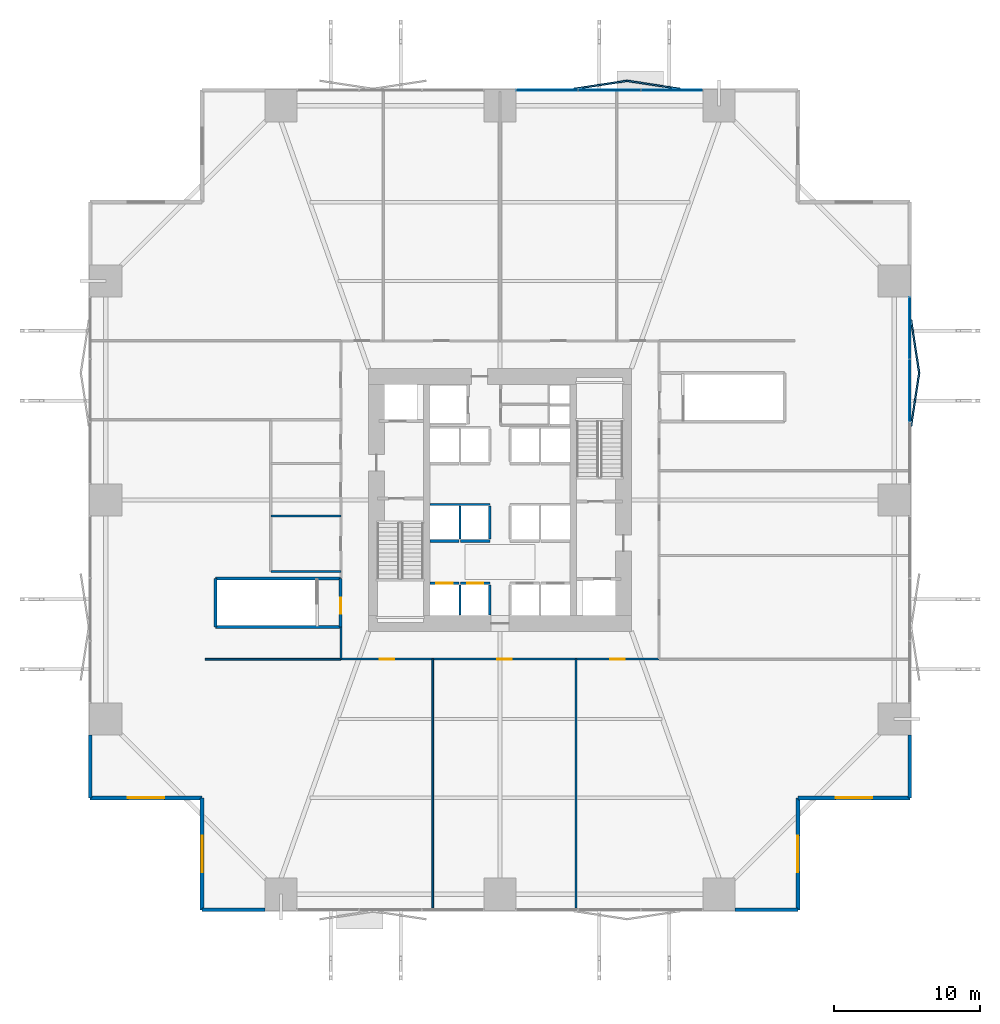
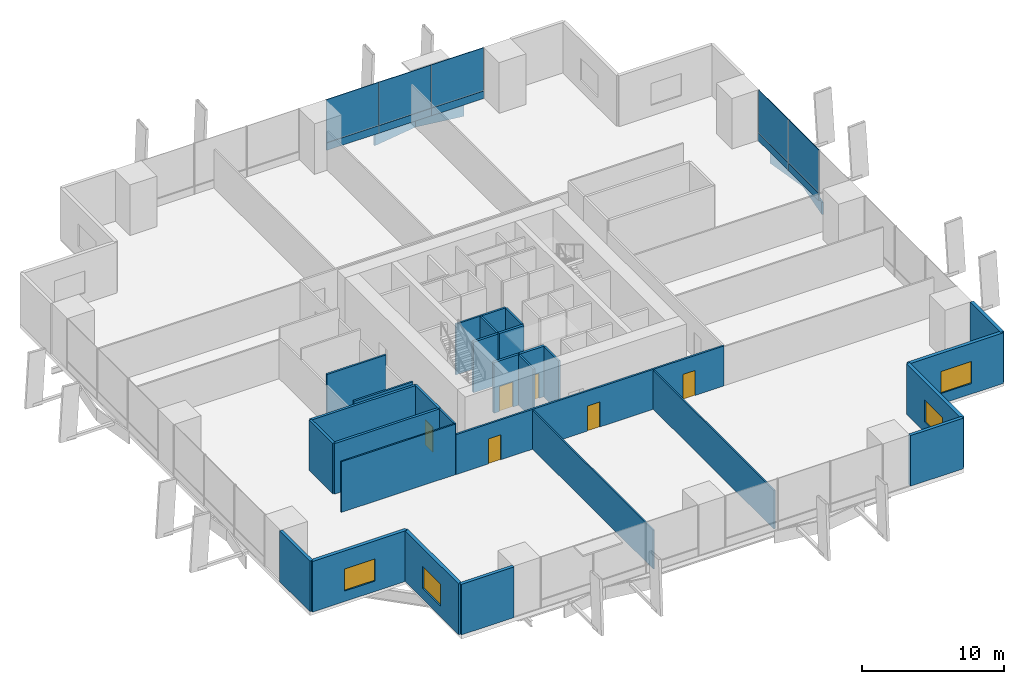
# One storey, part 19 of 24: 28 walls, 14 plates, 6 doors, 4 windows, 10 openings, 2 elements without a shape of their own.
"""IFC4 building model written with IfcOpenShell, lengths in metres."""

from ifc_helpers import new_model, si_unit, direction, frame, frame_2d, origin, origin_2d, place, context, subcontext, project, spatial, rectangle, extrude, material, layer, layer_set, type_object, element, fill, aggregate, save


model = new_model("IFC4")

# Units and contexts
model_context = context("Model", 3, precision=1e-05, world=origin(), true_north=direction((0.0, 1.0)))
body_context = subcontext(model_context, "Body", "Model", "MODEL_VIEW")
ifc_project = project(units=[si_unit("LENGTHUNIT", "METRE"), si_unit("AREAUNIT", "SQUARE_METRE"), si_unit("VOLUMEUNIT", "CUBIC_METRE"), si_unit("PLANEANGLEUNIT", "RADIAN"), si_unit("MASSUNIT", "GRAM", prefix="KILO")], contexts=[model_context])

# Site, building, storey
site_placement = place(None, origin())
site = spatial("IfcSite", under=ifc_project, at=site_placement, CompositionType="ELEMENT")
building_placement = place(site_placement, origin())
building = spatial("IfcBuilding", under=site, at=building_placement, Name="Belovzor Exchange Tower", CompositionType="ELEMENT")
storey_placement = place(building_placement, frame((0.0, 0.0, 19.199951171875)))
storey = spatial("IfcBuildingStorey", under=building, at=storey_placement, Name="L04", CompositionType="ELEMENT", Elevation=19.199951171875)

# Plates
ifc_material_1 = material(Name="Extruded Architectural Terracotta", Category="masonry")
ifc_layer_1 = layer(ifc_material_1, 0.1201171875)
ifc_layer_set_1 = layer_set([ifc_layer_1], Name="Extruded Architectural Terracotta")
plate_type_1 = type_object("IfcPlateType", Name="Folded Zigzag Terracotta Spandrel Louvre 80", PredefinedType="USERDEFINED", material=ifc_layer_set_1)
for number, where, z_axis, x_axis, name in (
    (1, (35.699951171875, 57.235107421875, -1.03515625), (0.0, 0.0, 1.0), (0.98853081729, 0.151019281113, 0.0), "LVR-ZZ1 Zigzag Terracotta Spandrel Louvre L04 N2A"),
    (2, (39.300048828125, 57.235107421875, -1.03515625), (0.0, 0.0, 1.0), (0.98853081729, -0.151019281113, 0.0), "LVR-ZZ1 Zigzag Terracotta Spandrel Louvre L04 N2B"),
    (3, (57.235107421875, 35.699951171875, -1.03515625), (0.0, 0.0, 1.0), (0.151019281113, 0.98853081729, 0.0), "LVR-ZZ1 Zigzag Terracotta Spandrel Louvre L04 E2A"),
    (4, (57.235107421875, 39.300048828125, -1.03515625), (0.0, 0.0, 1.0), (-0.151019281113, 0.98853081729, 0.0), "LVR-ZZ1 Zigzag Terracotta Spandrel Louvre L04 E2B"),
):
    element("IfcPlate", number, at=place(storey_placement, frame(where, z_axis=z_axis, x_axis=x_axis)), inside=storey, type_object=plate_type_1, Name=name, ObjectType="SPANDREL_LOUVRE", PredefinedType="USERDEFINED", context=body_context, shape_type="SweptSolid", body=[
        extrude(rectangle(XDim=3.721923828125, YDim=0.1201171875, at=origin_2d()), origin(), (0.0, 0.0, 1.0), 1.050048828125),
    ])

# Curtain wall, plates
ifc_material_2 = material(Name="Anodised Aluminium Framing", Category="aluminium")
ifc_layer_2 = layer(ifc_material_2, 0.2099609375)
ifc_layer_set_2 = layer_set([ifc_layer_2], Name="Anodised Aluminium Framing")
curtain_wall_type = type_object("IfcCurtainWallType", Name="Double-Height Concourse & Gallery Curtain Wall", PredefinedType="NOTDEFINED", material=ifc_layer_set_2)
curtain_wall_1_placement = place(storey_placement, origin())
curtain_wall_1 = element("IfcCurtainWall", 5, at=curtain_wall_1_placement, inside=storey, type_object=curtain_wall_type, Name="CW2 Double-Height Concourse & Gallery Curtain Wall L04", PredefinedType="NOTDEFINED")
ifc_material_3 = material(Name="Reconstituted Limestone Cassette", Category="masonry")
ifc_layer_3 = layer(ifc_material_3, 0.110107421875)
ifc_layer_set_3 = layer_set([ifc_layer_3], Name="Reconstituted Limestone Cassette")
plate_type_2 = type_object("IfcPlateType", Name="Insulated Stone-Faced Spandrel Cassette 110", PredefinedType="CURTAIN_PANEL", material=ifc_layer_set_3)
plate_1_placement = place(storey_placement, frame((32.032958984375, 56.8701171875, 0.0), z_axis=(0.0, 0.0, 1.0), x_axis=(1.0, 0.0, 0.0)))
plate_1 = element("IfcPlate", 6, at=plate_1_placement, type_object=plate_type_2, Name="SPD-110 Spandrel Panel 1", PredefinedType="CURTAIN_PANEL", context=body_context, shape_type="SweptSolid", body=[
    extrude(rectangle(XDim=4.2509765625, YDim=0.110107421875, at=origin_2d()), origin(), (0.0, 0.0, 1.0), 0.64794921875),
])
plate_2_placement = place(storey_placement, frame((36.300048828125, 56.8701171875, 0.0), z_axis=(0.0, 0.0, 1.0), x_axis=(1.0, 0.0, 0.0)))
plate_2 = element("IfcPlate", 7, at=plate_2_placement, type_object=plate_type_2, Name="SPD-110 Spandrel Panel 2", PredefinedType="CURTAIN_PANEL", context=body_context, shape_type="SweptSolid", body=[
    extrude(rectangle(XDim=4.2509765625, YDim=0.110107421875, at=origin_2d()), origin(), (0.0, 0.0, 1.0), 0.64794921875),
])
plate_3_placement = place(storey_placement, frame((40.56689453125, 56.8701171875, 0.0), z_axis=(0.0, 0.0, 1.0), x_axis=(1.0, 0.0, 0.0)))
plate_3 = element("IfcPlate", 8, at=plate_3_placement, type_object=plate_type_2, Name="SPD-110 Spandrel Panel 3", PredefinedType="CURTAIN_PANEL", context=body_context, shape_type="SweptSolid", body=[
    extrude(rectangle(XDim=4.2509765625, YDim=0.110107421875, at=origin_2d()), origin(), (0.0, 0.0, 1.0), 0.64794921875),
])

curtain_wall_2_placement = place(storey_placement, origin())
curtain_wall_2 = element("IfcCurtainWall", 9, at=curtain_wall_2_placement, inside=storey, type_object=curtain_wall_type, Name="CW2 Double-Height Concourse & Gallery Curtain Wall L04", PredefinedType="NOTDEFINED")
plate_4_placement = place(storey_placement, frame((56.8701171875, 40.56689453125, 0.0), z_axis=(0.0, 0.0, 1.0), x_axis=(0.0, -1.0, 0.0)))
plate_4 = element("IfcPlate", 10, at=plate_4_placement, type_object=plate_type_2, Name="SPD-110 Spandrel Panel 1", PredefinedType="CURTAIN_PANEL", context=body_context, shape_type="SweptSolid", body=[
    extrude(rectangle(XDim=4.2509765625, YDim=0.110107421875, at=origin_2d()), origin(), (0.0, 0.0, 1.0), 0.64794921875),
])
plate_5_placement = place(storey_placement, frame((56.8701171875, 36.300048828125, 0.0), z_axis=(0.0, 0.0, 1.0), x_axis=(0.0, -1.0, 0.0)))
plate_5 = element("IfcPlate", 11, at=plate_5_placement, type_object=plate_type_2, Name="SPD-110 Spandrel Panel 2", PredefinedType="CURTAIN_PANEL", context=body_context, shape_type="SweptSolid", body=[
    extrude(rectangle(XDim=4.2509765625, YDim=0.110107421875, at=origin_2d()), origin(), (0.0, 0.0, 1.0), 0.64794921875),
])

# Plate
ifc_material_4 = material(Name="Low-Iron Triple Glazing", Category="glass")
ifc_layer_4 = layer(ifc_material_4, 0.053955078125)
ifc_layer_set_4 = layer_set([ifc_layer_4], Name="Low-Iron Triple Glazing")
plate_type_3 = type_object("IfcPlateType", Name="Triple-Glazed Low-Iron Curtain Panel 54", PredefinedType="CURTAIN_PANEL", material=ifc_layer_set_4)
plate_6_placement = place(storey_placement, frame((32.032958984375, 56.8701171875, 0.65185546875), z_axis=(0.0, 0.0, 1.0), x_axis=(1.0, 0.0, 0.0)))
plate_6 = element("IfcPlate", 12, at=plate_6_placement, type_object=plate_type_3, Name="GLZ-54 Glazed Curtain Panel 1", PredefinedType="CURTAIN_PANEL", context=body_context, shape_type="SweptSolid", body=[
    extrude(rectangle(XDim=4.2509765625, YDim=0.053955078125, at=origin_2d()), origin(), (0.0, 0.0, 1.0), 3.697998046875),
])

plate_7_placement = place(storey_placement, frame((36.300048828125, 56.8701171875, 0.65185546875), z_axis=(0.0, 0.0, 1.0), x_axis=(1.0, 0.0, 0.0)))
plate_7 = element("IfcPlate", 13, at=plate_7_placement, type_object=plate_type_3, Name="GLZ-54 Glazed Curtain Panel 2", PredefinedType="CURTAIN_PANEL", context=body_context, shape_type="SweptSolid", body=[
    extrude(rectangle(XDim=4.2509765625, YDim=0.053955078125, at=origin_2d()), origin(), (0.0, 0.0, 1.0), 3.697998046875),
])

plate_8_placement = place(storey_placement, frame((40.56689453125, 56.8701171875, 0.65185546875), z_axis=(0.0, 0.0, 1.0), x_axis=(1.0, 0.0, 0.0)))
plate_8 = element("IfcPlate", 14, at=plate_8_placement, type_object=plate_type_3, Name="GLZ-54 Glazed Curtain Panel 3", PredefinedType="CURTAIN_PANEL", context=body_context, shape_type="SweptSolid", body=[
    extrude(rectangle(XDim=4.2509765625, YDim=0.053955078125, at=origin_2d()), origin(), (0.0, 0.0, 1.0), 3.697998046875),
])

aggregate(curtain_wall_1, [plate_1, plate_6, plate_2, plate_7, plate_3, plate_8])

plate_9_placement = place(storey_placement, frame((56.8701171875, 40.56689453125, 0.65185546875), z_axis=(0.0, 0.0, 1.0), x_axis=(0.0, -1.0, 0.0)))
plate_9 = element("IfcPlate", 15, at=plate_9_placement, type_object=plate_type_3, Name="GLZ-54 Glazed Curtain Panel 1", PredefinedType="CURTAIN_PANEL", context=body_context, shape_type="SweptSolid", body=[
    extrude(rectangle(XDim=4.2509765625, YDim=0.053955078125, at=origin_2d()), origin(), (0.0, 0.0, 1.0), 3.697998046875),
])

plate_10_placement = place(storey_placement, frame((56.8701171875, 36.300048828125, 0.65185546875), z_axis=(0.0, 0.0, 1.0), x_axis=(0.0, -1.0, 0.0)))
plate_10 = element("IfcPlate", 16, at=plate_10_placement, type_object=plate_type_3, Name="GLZ-54 Glazed Curtain Panel 2", PredefinedType="CURTAIN_PANEL", context=body_context, shape_type="SweptSolid", body=[
    extrude(rectangle(XDim=4.2509765625, YDim=0.053955078125, at=origin_2d()), origin(), (0.0, 0.0, 1.0), 3.697998046875),
])

aggregate(curtain_wall_2, [plate_4, plate_9, plate_5, plate_10])

# Walls
ifc_material_5 = material(Name="Acoustic Plasterboard on Galvanised Studs", Category="gypsum")
ifc_layer_5 = layer(ifc_material_5, 0.1201171875)
ifc_layer_set_5 = layer_set([ifc_layer_5], Name="Acoustic Plasterboard on Galvanised Studs")
wall_type_1 = type_object("IfcWallType", Name="Acoustic Double-Stud Partition Wall 120", PredefinedType="PARTITIONING", material=ifc_layer_set_5)
for number, where, z_axis, x_axis, name in (
    (17, (24.199951171875, 0.85009765625, 0.0), (0.0, 0.0, 1.0), (0.0, 1.0, 0.0), "W-P120 Partition Wall W-L04-SD1"),
    (18, (34.0, 0.85009765625, 0.0), (0.0, 0.0, 1.0), (0.0, 1.0, 0.0), "W-P120 Partition Wall W-L04-SD2"),
):
    element("IfcWall", number, at=place(storey_placement, frame(where, z_axis=z_axis, x_axis=x_axis)), inside=storey, type_object=wall_type_1, Name=name, PredefinedType="PARTITIONING", context=body_context, shape_type="SweptSolid", body=[
        extrude(rectangle(XDim=17.0498046875, YDim=0.1201171875, at=frame_2d((8.52490234375, 0.0))), origin(), (0.0, 0.0, 1.0), 3.3349609375),
    ])
wall_1_placement = place(storey_placement, frame((8.60009765625, 17.89990234375, 0.0), z_axis=(0.0, 0.0, 1.0), x_axis=(1.0, 0.0, 0.0)))
element("IfcWall", 19, at=wall_1_placement, inside=storey, type_object=wall_type_1, Name="W-P120 Partition Wall W-L04-OUT-SW", PredefinedType="PARTITIONING", context=body_context, shape_type="SweptSolid", body=[
    extrude(rectangle(XDim=9.2998046875, YDim=0.1201171875, at=frame_2d((4.64990234375, 0.0))), origin(), (0.0, 0.0, 1.0), 4.35009765625),
])
ifc_material_6 = material(Name="Fire-Rated Gypsum Block and Mineral Wool", Category="gypsum")
ifc_layer_6 = layer(ifc_material_6, 0.14990234375)
ifc_layer_set_6 = layer_set([ifc_layer_6], Name="Fire-Rated Gypsum Block and Mineral Wool")
wall_type_2 = type_object("IfcWallType", Name="Fire-Rated Gypsum Block Corridor Wall 150", PredefinedType="PARTITIONING", material=ifc_layer_set_6)
for number, where, z_axis, x_axis, name in (
    (20, (13.10009765625, 23.89990234375, 0.0), (0.0, 0.0, 1.0), (1.0, 0.0, 0.0), "W-P150 Partition Wall W-L04-WC-S"),
    (21, (13.10009765625, 27.699951171875, 0.0), (0.0, 0.0, 1.0), (1.0, 0.0, 0.0), "W-P150 Partition Wall W-L04-WC-D1"),
):
    element("IfcWall", number, at=place(storey_placement, frame(where, z_axis=z_axis, x_axis=x_axis)), inside=storey, type_object=wall_type_2, Name=name, PredefinedType="PARTITIONING", context=body_context, shape_type="SweptSolid", body=[
        extrude(rectangle(XDim=4.7998046875, YDim=0.14990234375, at=frame_2d((2.39990234375, 0.0))), origin(), (0.0, 0.0, 1.0), 4.35009765625),
    ])

# Wall, openings, doors
wall_2_placement = place(storey_placement, frame((17.89990234375, 17.89990234375, 0.0), z_axis=(0.0, 0.0, 1.0), x_axis=(1.0, 0.0, 0.0)))
wall_2 = element("IfcWall", 22, at=wall_2_placement, inside=storey, type_object=wall_type_2, Name="W-P150 Partition Wall W-L04-CS", PredefinedType="PARTITIONING", context=body_context, shape_type="SweptSolid", body=[
    extrude(rectangle(XDim=21.800048828125, YDim=0.14990234375, at=frame_2d((10.89990234375, 0.0))), origin(), (0.0, 0.0, 1.0), 3.43505859375),
])
opening_1_placement = place(wall_2_placement, frame((2.64990234375, 0.0, 0.0)))
opening_1 = element("IfcOpeningElement", 23, at=opening_1_placement, cuts=wall_2, Name="Opening D-FD60-105", PredefinedType="OPENING", context=body_context, shape_type="SweptSolid", body=[
    extrude(rectangle(XDim=1.0, YDim=2.14990234375, at=frame_2d((0.5, 1.074951171875))), frame((0.0, 0.0849609375, 0.0), z_axis=(0.0, -1.0, 0.0), x_axis=(1.0, 0.0, 0.0)), (0.0, 0.0, 1.0), 0.169921875),
])
opening_2_placement = place(wall_2_placement, frame((10.699951171875, 0.0, 0.0)))
opening_2 = element("IfcOpeningElement", 24, at=opening_2_placement, cuts=wall_2, Name="Opening D-FD60-105", PredefinedType="OPENING", context=body_context, shape_type="SweptSolid", body=[
    extrude(rectangle(XDim=1.0, YDim=2.14990234375, at=frame_2d((0.5, 1.074951171875))), frame((0.0, 0.0849609375, 0.0), z_axis=(0.0, -1.0, 0.0), x_axis=(1.0, 0.0, 0.0)), (0.0, 0.0, 1.0), 0.169921875),
])
opening_3_placement = place(wall_2_placement, frame((18.449951171875, 0.0, 0.0)))
opening_3 = element("IfcOpeningElement", 25, at=opening_3_placement, cuts=wall_2, Name="Opening D-FD60-105", PredefinedType="OPENING", context=body_context, shape_type="SweptSolid", body=[
    extrude(rectangle(XDim=1.0, YDim=2.14990234375, at=frame_2d((0.5, 1.074951171875))), frame((0.0, 0.0849609375, 0.0), z_axis=(0.0, -1.0, 0.0), x_axis=(1.0, 0.0, 0.0)), (0.0, 0.0, 1.0), 0.169921875),
])
ifc_material_7 = material(Name="Acoustic Timber Fire Leaf", Category="wood")
door_type_1 = type_object("IfcDoorType", Name="Podium Gallery Acoustic Fire Door 1000x2150", OperationType="NOTDEFINED", PredefinedType="DOOR", material=ifc_material_7)
door_1_placement = place(opening_1_placement, origin())
door_1 = element("IfcDoor", 26, at=door_1_placement, inside=storey, type_object=door_type_1, Name="D-FD60-105 Podium Gallery Acoustic Fire Door 1000x2150", OperationType="SINGLE_SWING_LEFT", OverallHeight=2.14990234375, OverallWidth=1.0, PredefinedType="DOOR", context=body_context, shape_type="SweptSolid", body=[
    extrude(rectangle(XDim=1.0, YDim=2.14990234375, at=frame_2d((0.5, 1.074951171875))), frame((0.0, 0.02490234375, 0.0), z_axis=(0.0, -1.0, 0.0), x_axis=(1.0, 0.0, 0.0)), (0.0, 0.0, 1.0), 0.050048828125),
])
fill(opening_1, door_1)
door_2_placement = place(opening_2_placement, origin())
door_2 = element("IfcDoor", 27, at=door_2_placement, inside=storey, type_object=door_type_1, Name="D-FD60-105 Podium Gallery Acoustic Fire Door 1000x2150", OperationType="SINGLE_SWING_LEFT", OverallHeight=2.14990234375, OverallWidth=1.0, PredefinedType="DOOR", context=body_context, shape_type="SweptSolid", body=[
    extrude(rectangle(XDim=1.0, YDim=2.14990234375, at=frame_2d((0.5, 1.074951171875))), frame((0.0, 0.02490234375, 0.0), z_axis=(0.0, -1.0, 0.0), x_axis=(1.0, 0.0, 0.0)), (0.0, 0.0, 1.0), 0.050048828125),
])
fill(opening_2, door_2)
door_3_placement = place(opening_3_placement, origin())
door_3 = element("IfcDoor", 28, at=door_3_placement, inside=storey, type_object=door_type_1, Name="D-FD60-105 Podium Gallery Acoustic Fire Door 1000x2150", OperationType="SINGLE_SWING_LEFT", OverallHeight=2.14990234375, OverallWidth=1.0, PredefinedType="DOOR", context=body_context, shape_type="SweptSolid", body=[
    extrude(rectangle(XDim=1.0, YDim=2.14990234375, at=frame_2d((0.5, 1.074951171875))), frame((0.0, 0.02490234375, 0.0), z_axis=(0.0, -1.0, 0.0), x_axis=(1.0, 0.0, 0.0)), (0.0, 0.0, 1.0), 0.050048828125),
])
fill(opening_3, door_3)

# Wall
wall_3_placement = place(storey_placement, frame((17.89990234375, 17.89990234375, 0.0), z_axis=(0.0, 0.0, 1.0), x_axis=(0.0, 1.0, 0.0)))
element("IfcWall", 29, at=wall_3_placement, inside=storey, type_object=wall_type_2, Name="W-P150 Partition Wall W-L04-CWS", PredefinedType="PARTITIONING", context=body_context, shape_type="SweptSolid", body=[
    extrude(rectangle(XDim=2.2001953125, YDim=0.14990234375, at=frame_2d((1.10009765625, 0.0))), origin(), (0.0, 0.0, 1.0), 4.35009765625),
])

# Wall, opening, window
ifc_material_8 = material(Name="Precast concrete C40/50", Category="concrete")
ifc_layer_7 = layer(ifc_material_8, 0.280029296875)
ifc_layer_set_7 = layer_set([ifc_layer_7], Name="Precast concrete C40/50")
wall_type_3 = type_object("IfcWallType", Name="Precast Concrete Notched Corner Frame Wall 280", PredefinedType="SOLIDWALL", material=ifc_layer_set_7)
wall_4_placement = place(storey_placement, frame((8.39990234375, 0.72998046875, 0.0), z_axis=(0.0, 0.0, 1.0), x_axis=(0.0, 1.0, 0.0)))
wall_4 = element("IfcWall", 30, at=wall_4_placement, inside=storey, type_object=wall_type_3, Name="W-CRN280 Precast Concrete Notched Corner Frame Wall 280 L04", PredefinedType="SOLIDWALL", context=body_context, shape_type="SweptSolid", body=[
    extrude(rectangle(XDim=7.669921875, YDim=0.280029296875, at=frame_2d((3.8349609375, 0.0))), origin(), (0.0, 0.0, 1.0), 4.35009765625),
])
opening_4_placement = place(wall_4_placement, frame((2.5849609375, 0.0, 0.89990234375)))
opening_4 = element("IfcOpeningElement", 31, at=opening_4_placement, cuts=wall_4, Name="Opening WN-CRN250", PredefinedType="OPENING", context=body_context, shape_type="SweptSolid", body=[
    extrude(rectangle(XDim=2.5, YDim=1.89990234375, at=frame_2d((1.25, 0.949951171875))), frame((0.0, 0.14990234375, 0.0), z_axis=(0.0, -1.0, 0.0), x_axis=(1.0, 0.0, 0.0)), (0.0, 0.0, 1.0), 0.300048828125),
])
ifc_material_9 = material(Name="Thermally Broken Aluminium and Triple Glazing", Category="aluminium")
window_type = type_object("IfcWindowType", Name="Streamline Moderne Corner Wrap Ribbon Window 2500x1900", PartitioningType="SINGLE_PANEL", PredefinedType="WINDOW", material=ifc_material_9)
window_1_placement = place(opening_4_placement, origin())
window_1 = element("IfcWindow", 32, at=window_1_placement, inside=storey, type_object=window_type, Name="WN-CRN250 Streamline Moderne Corner Wrap Ribbon Window 2500x1900", OverallHeight=1.89990234375, OverallWidth=2.5, PartitioningType="SINGLE_PANEL", PredefinedType="WINDOW", context=body_context, shape_type="SweptSolid", body=[
    extrude(rectangle(XDim=2.5, YDim=1.89990234375, at=frame_2d((1.25, 0.949951171875))), frame((0.0, 0.030029296875, 0.0), z_axis=(0.0, -1.0, 0.0), x_axis=(1.0, 0.0, 0.0)), (0.0, 0.0, 1.0), 0.06005859375),
])
fill(opening_4, window_1)

wall_5_placement = place(storey_placement, frame((8.39990234375, 8.39990234375, 0.0), z_axis=(0.0, 0.0, 1.0), x_axis=(-1.0, 0.0, 0.0)))
wall_5 = element("IfcWall", 33, at=wall_5_placement, inside=storey, type_object=wall_type_3, Name="W-CRN280 Precast Concrete Notched Corner Frame Wall 280 L04", PredefinedType="SOLIDWALL", context=body_context, shape_type="SweptSolid", body=[
    extrude(rectangle(XDim=7.669921875, YDim=0.280029296875, at=frame_2d((3.8349609375, 0.0))), origin(), (0.0, 0.0, 1.0), 4.35009765625),
])
opening_5_placement = place(wall_5_placement, frame((2.5849609375, 0.0, 0.89990234375)))
opening_5 = element("IfcOpeningElement", 34, at=opening_5_placement, cuts=wall_5, Name="Opening WN-CRN250", PredefinedType="OPENING", context=body_context, shape_type="SweptSolid", body=[
    extrude(rectangle(XDim=2.5, YDim=1.89990234375, at=frame_2d((1.25, 0.949951171875))), frame((0.0, 0.14990234375, 0.0), z_axis=(0.0, -1.0, 0.0), x_axis=(1.0, 0.0, 0.0)), (0.0, 0.0, 1.0), 0.300048828125),
])
window_2_placement = place(opening_5_placement, origin())
window_2 = element("IfcWindow", 35, at=window_2_placement, inside=storey, type_object=window_type, Name="WN-CRN250 Streamline Moderne Corner Wrap Ribbon Window 2500x1900", OverallHeight=1.89990234375, OverallWidth=2.5, PartitioningType="SINGLE_PANEL", PredefinedType="WINDOW", context=body_context, shape_type="SweptSolid", body=[
    extrude(rectangle(XDim=2.5, YDim=1.89990234375, at=frame_2d((1.25, 0.949951171875))), frame((0.0, 0.030029296875, 0.0), z_axis=(0.0, -1.0, 0.0), x_axis=(1.0, 0.0, 0.0)), (0.0, 0.0, 1.0), 0.06005859375),
])
fill(opening_5, window_2)

wall_6_placement = place(storey_placement, frame((56.8701171875, 8.39990234375, 0.0), z_axis=(0.0, 0.0, 1.0), x_axis=(-1.0, 0.0, 0.0)))
wall_6 = element("IfcWall", 36, at=wall_6_placement, inside=storey, type_object=wall_type_3, Name="W-CRN280 Precast Concrete Notched Corner Frame Wall 280 L04", PredefinedType="SOLIDWALL", context=body_context, shape_type="SweptSolid", body=[
    extrude(rectangle(XDim=7.670166015625, YDim=0.280029296875, at=frame_2d((3.8349609375, 0.0))), origin(), (0.0, 0.0, 1.0), 4.35009765625),
])
opening_6_placement = place(wall_6_placement, frame((2.5849609375, 0.0, 0.89990234375)))
opening_6 = element("IfcOpeningElement", 37, at=opening_6_placement, cuts=wall_6, Name="Opening WN-CRN250", PredefinedType="OPENING", context=body_context, shape_type="SweptSolid", body=[
    extrude(rectangle(XDim=2.5, YDim=1.89990234375, at=frame_2d((1.25, 0.949951171875))), frame((0.0, 0.14990234375, 0.0), z_axis=(0.0, -1.0, 0.0), x_axis=(1.0, 0.0, 0.0)), (0.0, 0.0, 1.0), 0.300048828125),
])
window_3_placement = place(opening_6_placement, origin())
window_3 = element("IfcWindow", 38, at=window_3_placement, inside=storey, type_object=window_type, Name="WN-CRN250 Streamline Moderne Corner Wrap Ribbon Window 2500x1900", OverallHeight=1.89990234375, OverallWidth=2.5, PartitioningType="SINGLE_PANEL", PredefinedType="WINDOW", context=body_context, shape_type="SweptSolid", body=[
    extrude(rectangle(XDim=2.5, YDim=1.89990234375, at=frame_2d((1.25, 0.949951171875))), frame((0.0, 0.030029296875, 0.0), z_axis=(0.0, -1.0, 0.0), x_axis=(1.0, 0.0, 0.0)), (0.0, 0.0, 1.0), 0.06005859375),
])
fill(opening_6, window_3)

wall_7_placement = place(storey_placement, frame((49.199951171875, 8.39990234375, 0.0), z_axis=(0.0, 0.0, 1.0), x_axis=(0.0, -1.0, 0.0)))
wall_7 = element("IfcWall", 39, at=wall_7_placement, inside=storey, type_object=wall_type_3, Name="W-CRN280 Precast Concrete Notched Corner Frame Wall 280 L04", PredefinedType="SOLIDWALL", context=body_context, shape_type="SweptSolid", body=[
    extrude(rectangle(XDim=7.669921875, YDim=0.280029296875, at=frame_2d((3.8349609375, 0.0))), origin(), (0.0, 0.0, 1.0), 4.35009765625),
])
opening_7_placement = place(wall_7_placement, frame((2.5849609375, 0.0, 0.89990234375)))
opening_7 = element("IfcOpeningElement", 40, at=opening_7_placement, cuts=wall_7, Name="Opening WN-CRN250", PredefinedType="OPENING", context=body_context, shape_type="SweptSolid", body=[
    extrude(rectangle(XDim=2.5, YDim=1.89990234375, at=frame_2d((1.25, 0.949951171875))), frame((0.0, 0.14990234375, 0.0), z_axis=(0.0, -1.0, 0.0), x_axis=(1.0, 0.0, 0.0)), (0.0, 0.0, 1.0), 0.300048828125),
])
window_4_placement = place(opening_7_placement, origin())
window_4 = element("IfcWindow", 41, at=window_4_placement, inside=storey, type_object=window_type, Name="WN-CRN250 Streamline Moderne Corner Wrap Ribbon Window 2500x1900", OverallHeight=1.89990234375, OverallWidth=2.5, PartitioningType="SINGLE_PANEL", PredefinedType="WINDOW", context=body_context, shape_type="SweptSolid", body=[
    extrude(rectangle(XDim=2.5, YDim=1.89990234375, at=frame_2d((1.25, 0.949951171875))), frame((0.0, 0.030029296875, 0.0), z_axis=(0.0, -1.0, 0.0), x_axis=(1.0, 0.0, 0.0)), (0.0, 0.0, 1.0), 0.06005859375),
])
fill(opening_7, window_4)

# Walls
ifc_material_10 = material(Name="Precast concrete C40/50", Category="concrete")
ifc_layer_8 = layer(ifc_material_10, 0.260009765625)
ifc_layer_set_8 = layer_set([ifc_layer_8], Name="Precast concrete C40/50")
wall_type_4 = type_object("IfcWallType", Name="Precast Concrete Perimeter Loggia Frame Wall 260", PredefinedType="SOLIDWALL", material=ifc_layer_set_8)
for number, where, z_axis, x_axis, name in (
    (42, (12.699951171875, 0.72998046875, 0.0), (0.0, 0.0, 1.0), (-1.0, 0.0, 0.0), "W-EXT260 Precast Concrete Perimeter Loggia Frame Wall 260 L04"),
    (43, (49.199951171875, 0.72998046875, 0.0), (0.0, 0.0, 1.0), (-1.0, 0.0, 0.0), "W-EXT260 Precast Concrete Perimeter Loggia Frame Wall 260 L04"),
    (44, (0.72998046875, 8.39990234375, 0.0), (0.0, 0.0, 1.0), (0.0, 1.0, 0.0), "W-EXT260 Precast Concrete Perimeter Loggia Frame Wall 260 L04"),
    (45, (56.8701171875, 12.699951171875, 0.0), (0.0, 0.0, 1.0), (0.0, -1.0, 0.0), "W-EXT260 Precast Concrete Perimeter Loggia Frame Wall 260 L04"),
):
    element("IfcWall", number, at=place(storey_placement, frame(where, z_axis=z_axis, x_axis=x_axis)), inside=storey, type_object=wall_type_4, Name=name, PredefinedType="SOLIDWALL", context=body_context, shape_type="SweptSolid", body=[
        extrude(rectangle(XDim=4.300048828125, YDim=0.260009765625, at=frame_2d((2.14990234375, 0.0))), origin(), (0.0, 0.0, 1.0), 4.35009765625),
    ])
ifc_material_11 = material(Name="Concrete C50/60", Category="concrete")
ifc_layer_9 = layer(ifc_material_11, 0.14990234375)
ifc_layer_set_9 = layer_set([ifc_layer_9], Name="Concrete C50/60")
wall_type_5 = type_object("IfcWallType", Name="Reinforced Concrete Core Riser Shear Wall 150", PredefinedType="SHEAR", material=ifc_layer_set_9)
for number, where, z_axis, x_axis, name in (
    (46, (26.050048828125, 20.919921875, 0.0), (0.0, 0.0, 1.0), (0.0, 1.0, 0.0), "W-C150S Core Shaft Wall W-SHD-L04-PLL-1"),
    (47, (28.10009765625, 20.919921875, 0.0), (0.0, 0.0, 1.0), (0.0, 1.0, 0.0), "W-C150S Core Shaft Wall W-SHD-L04-PLL-2"),
):
    element("IfcWall", number, at=place(storey_placement, frame(where, z_axis=z_axis, x_axis=x_axis)), inside=storey, type_object=wall_type_5, Name=name, PredefinedType="SHEAR", context=body_context, shape_type="SweptSolid", body=[
        extrude(rectangle(XDim=2.06005859375, YDim=0.14990234375, at=frame_2d((1.030029296875, 0.0))), origin(), (0.0, 0.0, 1.0), 4.35009765625),
    ])
wall_8_placement = place(storey_placement, frame((24.02001953125, 28.5, 0.0), z_axis=(0.0, 0.0, 1.0), x_axis=(1.0, 0.0, 0.0)))
element("IfcWall", 48, at=wall_8_placement, inside=storey, type_object=wall_type_5, Name="W-C150S Core Shaft Wall W-SHB-L04-PLM-NW", PredefinedType="SHEAR", context=body_context, shape_type="SweptSolid", body=[
    extrude(rectangle(XDim=4.080078125, YDim=0.14990234375, at=frame_2d((2.0400390625, 0.0))), origin(), (0.0, 0.0, 1.0), 4.35009765625),
])
for number, where, z_axis, x_axis, name in (
    (49, (26.050048828125, 26.1201171875, 0.0), (0.0, 0.0, 1.0), (0.0, 1.0, 0.0), "W-C150S Core Shaft Wall W-SHD-L04-PLM-1"),
    (50, (28.10009765625, 26.1201171875, 0.0), (0.0, 0.0, 1.0), (0.0, 1.0, 0.0), "W-C150S Core Shaft Wall W-SHD-L04-PLM-2"),
):
    element("IfcWall", number, at=place(storey_placement, frame(where, z_axis=z_axis, x_axis=x_axis)), inside=storey, type_object=wall_type_5, Name=name, PredefinedType="SHEAR", context=body_context, shape_type="SweptSolid", body=[
        extrude(rectangle(XDim=2.27978515625, YDim=0.14990234375, at=frame_2d((1.139892578125, 0.0))), origin(), (0.0, 0.0, 1.0), 4.35009765625),
    ])

# Wall, opening, door
ifc_material_12 = material(Name="Concrete C50/60", Category="concrete")
ifc_layer_10 = layer(ifc_material_12, 0.199951171875)
ifc_layer_set_10 = layer_set([ifc_layer_10], Name="Concrete C50/60")
wall_type_6 = type_object("IfcWallType", Name="Reinforced Concrete Core Shaft Shear Wall 200", PredefinedType="SHEAR", material=ifc_layer_set_10)
wall_9_placement = place(storey_placement, frame((24.0, 23.10009765625, 0.0), z_axis=(0.0, 0.0, 1.0), x_axis=(1.0, 0.0, 0.0)))
wall_9 = element("IfcWall", 51, at=wall_9_placement, inside=storey, type_object=wall_type_6, Name="W-C200S Core Shaft Wall W-SH-L04-PL-L1", PredefinedType="SHEAR", context=body_context, shape_type="SweptSolid", body=[
    extrude(rectangle(XDim=2.0, YDim=0.199951171875, at=frame_2d((1.0, 0.0))), origin(), (0.0, 0.0, 1.0), 4.35009765625),
])
opening_8_placement = place(wall_9_placement, frame((0.449951171875, 0.0, 0.0)))
opening_8 = element("IfcOpeningElement", 52, at=opening_8_placement, cuts=wall_9, Name="Opening LD-110", PredefinedType="OPENING", context=body_context, shape_type="SweptSolid", body=[
    extrude(rectangle(XDim=1.10009765625, YDim=2.14990234375, at=frame_2d((0.550048828125, 1.074951171875))), frame((0.0, 0.10986328125, 0.0), z_axis=(0.0, -1.0, 0.0), x_axis=(1.0, 0.0, 0.0)), (0.0, 0.0, 1.0), 0.219970703125),
])
ifc_material_13 = material(Name="Stainless Steel Grade 304", Category="steel")
door_type_2 = type_object("IfcDoorType", Name="Automated Stainless Steel Lift Landing Door 1100x2150", OperationType="SLIDING_TO_RIGHT", PredefinedType="DOOR", material=ifc_material_13)
door_4_placement = place(opening_8_placement, origin())
door_4 = element("IfcDoor", 53, at=door_4_placement, inside=storey, type_object=door_type_2, Name="LD-110 Automated Stainless Steel Lift Landing Door 1100x2150", OperationType="SLIDING_TO_RIGHT", OverallHeight=2.14990234375, OverallWidth=1.10009765625, PredefinedType="DOOR", context=body_context, shape_type="SweptSolid", body=[
    extrude(rectangle(XDim=1.10009765625, YDim=2.14990234375, at=frame_2d((0.550048828125, 1.074951171875))), frame((0.0, 0.02490234375, 0.0), z_axis=(0.0, -1.0, 0.0), x_axis=(1.0, 0.0, 0.0)), (0.0, 0.0, 1.0), 0.050048828125),
])
fill(opening_8, door_4)

wall_10_placement = place(storey_placement, frame((26.10009765625, 23.10009765625, 0.0), z_axis=(0.0, 0.0, 1.0), x_axis=(1.0, 0.0, 0.0)))
wall_10 = element("IfcWall", 54, at=wall_10_placement, inside=storey, type_object=wall_type_6, Name="W-C200S Core Shaft Wall W-SH-L04-PL-L2", PredefinedType="SHEAR", context=body_context, shape_type="SweptSolid", body=[
    extrude(rectangle(XDim=2.0, YDim=0.199951171875, at=frame_2d((1.0, 0.0))), origin(), (0.0, 0.0, 1.0), 4.35009765625),
])
opening_9_placement = place(wall_10_placement, frame((0.449951171875, 0.0, 0.0)))
opening_9 = element("IfcOpeningElement", 55, at=opening_9_placement, cuts=wall_10, Name="Opening LD-110", PredefinedType="OPENING", context=body_context, shape_type="SweptSolid", body=[
    extrude(rectangle(XDim=1.10009765625, YDim=2.14990234375, at=frame_2d((0.550048828125, 1.074951171875))), frame((0.0, 0.10986328125, 0.0), z_axis=(0.0, -1.0, 0.0), x_axis=(1.0, 0.0, 0.0)), (0.0, 0.0, 1.0), 0.219970703125),
])
door_5_placement = place(opening_9_placement, origin())
door_5 = element("IfcDoor", 56, at=door_5_placement, inside=storey, type_object=door_type_2, Name="LD-110 Automated Stainless Steel Lift Landing Door 1100x2150", OperationType="SLIDING_TO_RIGHT", OverallHeight=2.14990234375, OverallWidth=1.10009765625, PredefinedType="DOOR", context=body_context, shape_type="SweptSolid", body=[
    extrude(rectangle(XDim=1.10009765625, YDim=2.14990234375, at=frame_2d((0.550048828125, 1.074951171875))), frame((0.0, 0.02490234375, 0.0), z_axis=(0.0, -1.0, 0.0), x_axis=(1.0, 0.0, 0.0)), (0.0, 0.0, 1.0), 0.050048828125),
])
fill(opening_9, door_5)

# Walls
for number, where, z_axis, x_axis, name in (
    (57, (24.0, 26.0, 0.0), (0.0, 0.0, 1.0), (1.0, 0.0, 0.0), "W-C200S Core Shaft Wall W-SH-L04-PL-M1"),
    (58, (26.10009765625, 26.0, 0.0), (0.0, 0.0, 1.0), (1.0, 0.0, 0.0), "W-C200S Core Shaft Wall W-SH-L04-PL-M2"),
):
    element("IfcWall", number, at=place(storey_placement, frame(where, z_axis=z_axis, x_axis=x_axis)), inside=storey, type_object=wall_type_6, Name=name, PredefinedType="SHEAR", context=body_context, shape_type="SweptSolid", body=[
        extrude(rectangle(XDim=2.0, YDim=0.199951171875, at=frame_2d((1.0, 0.0))), origin(), (0.0, 0.0, 1.0), 4.35009765625),
    ])
for number, where, z_axis, x_axis, name in (
    (59, (9.31494140625, 20.114990234375, 0.0), (0.0, 0.0, 1.0), (1.0, 0.0, 0.0), "W-C200S Core Shaft Wall W-ST3-L04-S"),
    (60, (9.31494140625, 23.43505859375, 0.0), (0.0, 0.0, 1.0), (1.0, 0.0, 0.0), "W-C200S Core Shaft Wall W-ST3-L04-N"),
):
    element("IfcWall", number, at=place(storey_placement, frame(where, z_axis=z_axis, x_axis=x_axis)), inside=storey, type_object=wall_type_6, Name=name, PredefinedType="SHEAR", context=body_context, shape_type="SweptSolid", body=[
        extrude(rectangle(XDim=8.570068359375, YDim=0.199951171875, at=frame_2d((4.28515625, 0.0))), origin(), (0.0, 0.0, 1.0), 4.35009765625),
    ])
wall_11_placement = place(storey_placement, frame((9.31494140625, 20.114990234375, 0.0), z_axis=(0.0, 0.0, 1.0), x_axis=(0.0, 1.0, 0.0)))
element("IfcWall", 61, at=wall_11_placement, inside=storey, type_object=wall_type_6, Name="W-C200S Core Shaft Wall W-ST3-L04-W", PredefinedType="SHEAR", context=body_context, shape_type="SweptSolid", body=[
    extrude(rectangle(XDim=3.320068359375, YDim=0.199951171875, at=frame_2d((1.66015625, 0.0))), origin(), (0.0, 0.0, 1.0), 4.35009765625),
])

# Wall, opening, door
wall_12_placement = place(storey_placement, frame((17.885009765625, 20.114990234375, 0.0), z_axis=(0.0, 0.0, 1.0), x_axis=(0.0, 1.0, 0.0)))
wall_12 = element("IfcWall", 62, at=wall_12_placement, inside=storey, type_object=wall_type_6, Name="W-C200S Core Shaft Wall W-ST3-L04-E", PredefinedType="SHEAR", context=body_context, shape_type="SweptSolid", body=[
    extrude(rectangle(XDim=3.320068359375, YDim=0.199951171875, at=frame_2d((1.66015625, 0.0))), origin(), (0.0, 0.0, 1.0), 4.35009765625),
])
opening_10_placement = place(wall_12_placement, frame((0.89990234375, 0.0, 0.0)))
opening_10 = element("IfcOpeningElement", 63, at=opening_10_placement, cuts=wall_12, Name="Opening D-FD90-110", PredefinedType="OPENING", context=body_context, shape_type="SweptSolid", body=[
    extrude(rectangle(XDim=1.10009765625, YDim=2.14990234375, at=frame_2d((0.550048828125, 1.074951171875))), frame((0.0, 0.10986328125, 0.0), z_axis=(0.0, -1.0, 0.0), x_axis=(1.0, 0.0, 0.0)), (0.0, 0.0, 1.0), 0.219970703125),
])
ifc_material_14 = material(Name="Fire-Rated Galvanised Steel Leaf", Category="steel")
door_type_3 = type_object("IfcDoorType", Name="Protected Escape Vestibule Fire Door 1100x2150", OperationType="NOTDEFINED", PredefinedType="DOOR", material=ifc_material_14)
door_6_placement = place(opening_10_placement, origin())
door_6 = element("IfcDoor", 64, at=door_6_placement, inside=storey, type_object=door_type_3, Name="D-FD90-110 Protected Escape Vestibule Fire Door 1100x2150", OperationType="SINGLE_SWING_LEFT", OverallHeight=2.14990234375, OverallWidth=1.10009765625, PredefinedType="DOOR", context=body_context, shape_type="SweptSolid", body=[
    extrude(rectangle(XDim=1.10009765625, YDim=2.14990234375, at=frame_2d((0.550048828125, 1.074951171875))), frame((0.0, 0.02490234375, 0.0), z_axis=(0.0, -1.0, 0.0), x_axis=(1.0, 0.0, 0.0)), (0.0, 0.0, 1.0), 0.050048828125),
])
fill(opening_10, door_6)

save(model, "model.ifc")
